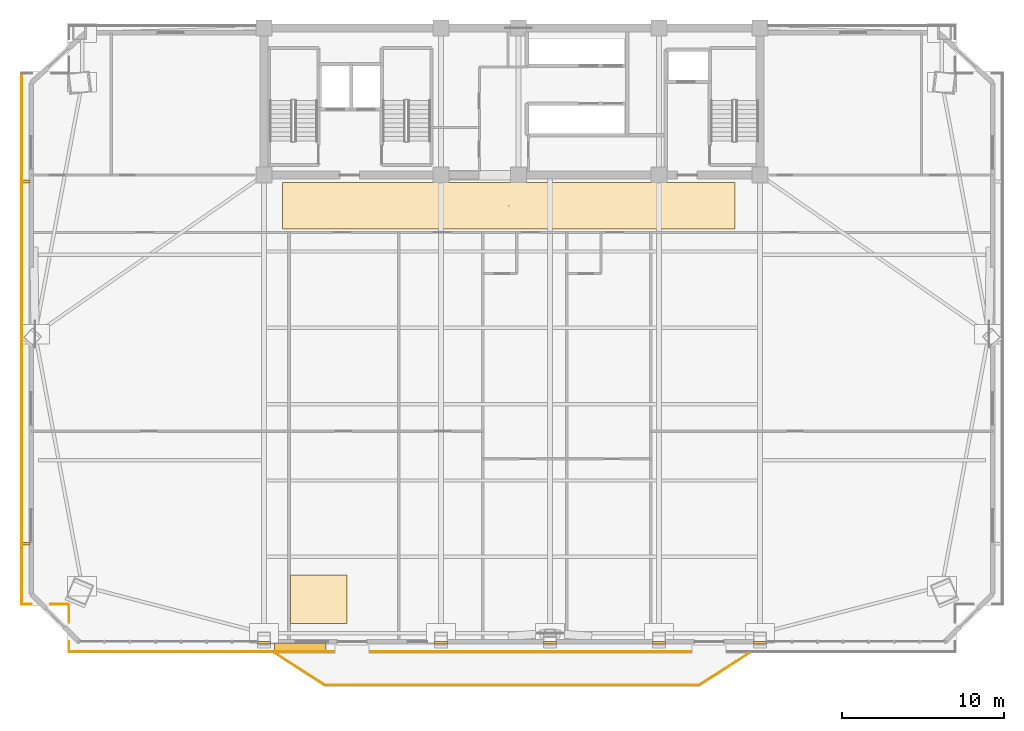
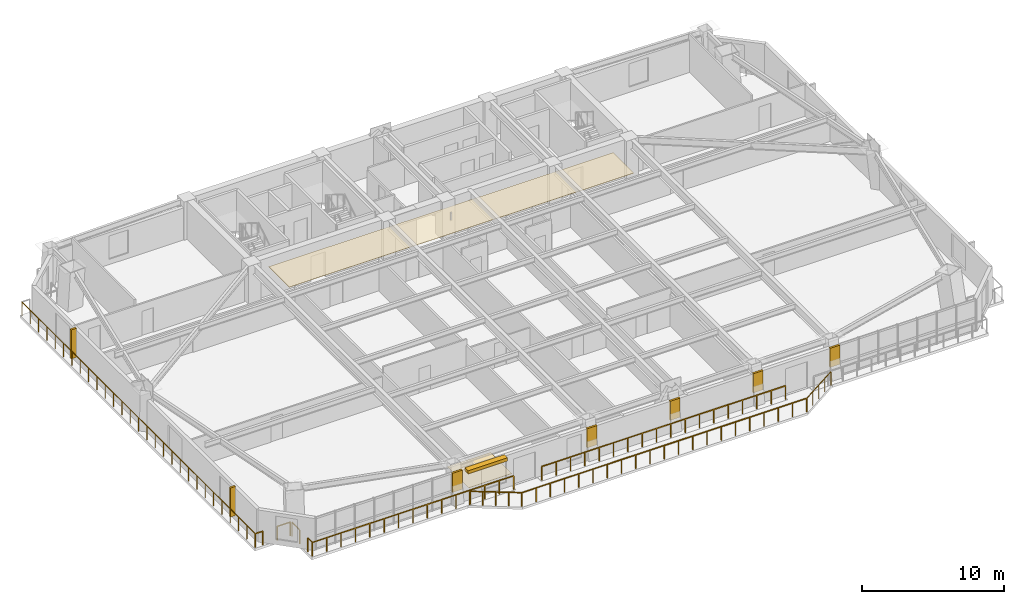
# One storey, part 12 of 15: 10 railings, 7 coverings, 3 shading devices.
"""IFC4 building model written with IfcOpenShell, lengths in metres."""

from ifc_helpers import new_model, si_unit, direction, frame, origin, origin_2d, place, context, subcontext, project, spatial, polyline, rectangle, outline, extrude, source, transform, mapped, material, layer, layer_set, type_object, element, save


model = new_model("IFC4")

# Units and contexts
model_context = context("Model", 3, precision=1e-05, world=origin(), true_north=direction((0.0, 1.0)))
body_context = subcontext(model_context, "Body", "Model", "MODEL_VIEW")
ifc_project = project(units=[si_unit("LENGTHUNIT", "METRE"), si_unit("AREAUNIT", "SQUARE_METRE"), si_unit("VOLUMEUNIT", "CUBIC_METRE"), si_unit("PLANEANGLEUNIT", "RADIAN"), si_unit("MASSUNIT", "GRAM", prefix="KILO")], contexts=[model_context])

# Site, building, storey
site_placement = place(None, origin())
site = spatial("IfcSite", under=ifc_project, at=site_placement, CompositionType="ELEMENT")
building_placement = place(site_placement, origin())
building = spatial("IfcBuilding", under=site, at=building_placement, Name="Giltprow Tower", CompositionType="ELEMENT")
storey_placement = place(building_placement, frame((0.0, 0.0, 156.199951171875)))
storey = spatial("IfcBuildingStorey", under=building, at=storey_placement, Name="L38", CompositionType="ELEMENT", Elevation=156.199951171875)

# Coverings
ifc_material_1 = material(Name="Painted gypsum board", Category="gypsum")
ifc_layer_1 = layer(ifc_material_1, 0.030029296875, Name="Painted gypsum board")
ifc_layer_set_1 = layer_set([ifc_layer_1], Name="Painted gypsum board")
covering_type_1 = type_object("IfcCoveringType", Name="COV-CLG-GYPSUM", PredefinedType="CEILING", material=ifc_layer_set_1)
covering_1_placement = place(storey_placement, frame((0.0, 0.0, 2.6201171875)))
element("IfcCovering", 1, at=covering_1_placement, inside=storey, type_object=covering_type_1, Name="L38 Hotel Corridor Gypsum Ceiling", PredefinedType="CEILING", context=body_context, shape_type="SweptSolid", body=[
    extrude(outline(polyline([(21.0, 34.10009765625), (49.0, 34.10009765625), (49.0, 37.0), (21.0, 37.0), (21.0, 34.10009765625)])), origin(), (0.0, 0.0, 1.0), 0.030029296875),
])
ifc_material_2 = material(Name="Engineered oak", Category="wood")
ifc_layer_2 = layer(ifc_material_2, 0.02490234375, Name="Engineered oak")
ifc_layer_set_2 = layer_set([ifc_layer_2], Name="Engineered oak")
covering_type_2 = type_object("IfcCoveringType", Name="COV-FLR-TIMBER", PredefinedType="FLOORING", material=ifc_layer_set_2)
covering_2_placement = place(storey_placement, origin())
element("IfcCovering", 2, at=covering_2_placement, inside=storey, type_object=covering_type_2, Name="L38 Engineered Oak Guestroom Flooring", PredefinedType="FLOORING", context=body_context, shape_type="SweptSolid", body=[
    extrude(outline(polyline([(21.5, 9.697998046875), (25.0, 9.697998046875), (25.0, 12.697998046875), (21.5, 12.697998046875), (21.5, 9.697998046875)])), origin(), (0.0, 0.0, 1.0), 0.025146484375),
])
ifc_material_3 = material(Name="Anodized bronze", Category="metal")
ifc_layer_3 = layer(ifc_material_3, 0.0400390625, Name="Anodized bronze")
ifc_layer_set_3 = layer_set([ifc_layer_3], Name="Anodized bronze")
covering_type_3 = type_object("IfcCoveringType", Name="COV-SOFFIT-BRONZE", PredefinedType="CLADDING", material=ifc_layer_set_3)
covering_3_placement = place(storey_placement, frame((0.0, 0.0, 1.10009765625)))
element("IfcCovering", 3, at=covering_3_placement, inside=storey, type_object=covering_type_3, Name="L38 Setback Pier Closure Cladding S-1", PredefinedType="CLADDING", context=body_context, shape_type="SweptSolid", body=[
    extrude(outline(polyline([(19.449951171875, 8.431884765625), (20.25, 8.431884765625), (20.25, 8.592041015625), (19.449951171875, 8.592041015625), (19.449951171875, 8.431884765625)])), origin(), (0.0, 0.0, 1.0), 1.64990234375),
])
covering_4_placement = place(storey_placement, frame((0.0, 0.0, 1.10009765625)))
element("IfcCovering", 4, at=covering_4_placement, inside=storey, type_object=covering_type_3, Name="L38 Setback Pier Closure Cladding S-2", PredefinedType="CLADDING", context=body_context, shape_type="SweptSolid", body=[
    extrude(outline(polyline([(30.39990234375, 8.431884765625), (31.199951171875, 8.431884765625), (31.199951171875, 8.592041015625), (30.39990234375, 8.592041015625), (30.39990234375, 8.431884765625)])), origin(), (0.0, 0.0, 1.0), 1.64990234375),
])
covering_5_placement = place(storey_placement, frame((0.0, 0.0, 1.10009765625)))
element("IfcCovering", 5, at=covering_5_placement, inside=storey, type_object=covering_type_3, Name="L38 Setback Pier Closure Cladding S-3", PredefinedType="CLADDING", context=body_context, shape_type="SweptSolid", body=[
    extrude(outline(polyline([(37.14990234375, 8.431884765625), (37.949951171875, 8.431884765625), (37.949951171875, 8.592041015625), (37.14990234375, 8.592041015625), (37.14990234375, 8.431884765625)])), origin(), (0.0, 0.0, 1.0), 1.64990234375),
])
covering_6_placement = place(storey_placement, frame((0.0, 0.0, 1.10009765625)))
element("IfcCovering", 6, at=covering_6_placement, inside=storey, type_object=covering_type_3, Name="L38 Setback Pier Closure Cladding S-4", PredefinedType="CLADDING", context=body_context, shape_type="SweptSolid", body=[
    extrude(outline(polyline([(43.89990234375, 8.431884765625), (44.699951171875, 8.431884765625), (44.699951171875, 8.592041015625), (43.89990234375, 8.592041015625), (43.89990234375, 8.431884765625)])), origin(), (0.0, 0.0, 1.0), 1.64990234375),
])
covering_7_placement = place(storey_placement, frame((0.0, 0.0, 1.10009765625)))
element("IfcCovering", 7, at=covering_7_placement, inside=storey, type_object=covering_type_3, Name="L38 Setback Pier Closure Cladding S-5", PredefinedType="CLADDING", context=body_context, shape_type="SweptSolid", body=[
    extrude(outline(polyline([(50.14990234375, 8.431884765625), (50.949951171875, 8.431884765625), (50.949951171875, 8.592041015625), (50.14990234375, 8.592041015625), (50.14990234375, 8.431884765625)])), origin(), (0.0, 0.0, 1.0), 1.64990234375),
])

# Railings
railing_type = type_object("IfcRailingType", Name="RAIL-BALC-GUARD-1200", PredefinedType="BALUSTRADE", material=ifc_material_3)
railing_1_placement = place(storey_placement, frame((20.52001953125, 7.8720703125, 0.0)))
element("IfcRailing", 8, at=railing_1_placement, inside=storey, type_object=railing_type, Name="L38 Waterfront Balcony Balustrade Seg 1", PredefinedType="BALUSTRADE", context=body_context, shape_type="SweptSolid", body=[
    extrude(rectangle(XDim=0.048095703125, YDim=0.048095703125, at=origin_2d()), frame((0.0, 0.0, 1.17578125), z_axis=(0.84277487735, -0.538266203757, 0.0), x_axis=(0.538266203757, 0.84277487735, 0.0)), (0.0, 0.0, 1.0), 3.678466796875),
    extrude(rectangle(XDim=0.0419921875, YDim=0.0419921875, at=origin_2d()), origin(), (0.0, 0.0, 1.0), 1.15185546875),
    extrude(rectangle(XDim=0.0419921875, YDim=0.0419921875, at=origin_2d()), frame((0.77490234375, -0.4951171875, 0.0)), (0.0, 0.0, 1.0), 1.15185546875),
    extrude(rectangle(XDim=0.0419921875, YDim=0.0419921875, at=origin_2d()), frame((1.550048828125, -0.989990234375, 0.0)), (0.0, 0.0, 1.0), 1.15185546875),
    extrude(rectangle(XDim=0.0419921875, YDim=0.0419921875, at=origin_2d()), frame((2.3251953125, -1.48486328125, 0.0)), (0.0, 0.0, 1.0), 1.15185546875),
    extrude(rectangle(XDim=0.0419921875, YDim=0.0419921875, at=origin_2d()), frame((3.10009765625, -1.97998046875, 0.0)), (0.0, 0.0, 1.0), 1.15185546875),
])
railing_2_placement = place(storey_placement, frame((23.6201171875, 5.89208984375, 0.0)))
element("IfcRailing", 9, at=railing_2_placement, inside=storey, type_object=railing_type, Name="L38 Waterfront Balcony Balustrade Seg 2", PredefinedType="BALUSTRADE", context=body_context, shape_type="SweptSolid", body=[
    extrude(rectangle(XDim=0.048095703125, YDim=0.048095703125, at=origin_2d()), frame((0.0, 0.0, 1.17578125), z_axis=(1.0, 0.0, 0.0), x_axis=(0.0, 1.0, 0.0)), (0.0, 0.0, 1.0), 23.159912109375),
    extrude(rectangle(XDim=0.0419921875, YDim=0.0419921875, at=origin_2d()), origin(), (0.0, 0.0, 1.0), 1.15185546875),
    extrude(rectangle(XDim=0.0419921875, YDim=0.0419921875, at=origin_2d()), frame((1.157958984375, 0.0, 0.0)), (0.0, 0.0, 1.0), 1.15185546875),
    extrude(rectangle(XDim=0.0419921875, YDim=0.0419921875, at=origin_2d()), frame((2.31591796875, 0.0, 0.0)), (0.0, 0.0, 1.0), 1.15185546875),
    extrude(rectangle(XDim=0.0419921875, YDim=0.0419921875, at=origin_2d()), frame((3.473876953125, 0.0, 0.0)), (0.0, 0.0, 1.0), 1.15185546875),
    extrude(rectangle(XDim=0.0419921875, YDim=0.0419921875, at=origin_2d()), frame((4.632080078125, 0.0, 0.0)), (0.0, 0.0, 1.0), 1.15185546875),
    extrude(rectangle(XDim=0.0419921875, YDim=0.0419921875, at=origin_2d()), frame((5.7900390625, 0.0, 0.0)), (0.0, 0.0, 1.0), 1.15185546875),
    extrude(rectangle(XDim=0.0419921875, YDim=0.0419921875, at=origin_2d()), frame((6.947998046875, 0.0, 0.0)), (0.0, 0.0, 1.0), 1.15185546875),
    extrude(rectangle(XDim=0.0419921875, YDim=0.0419921875, at=origin_2d()), frame((8.10595703125, 0.0, 0.0)), (0.0, 0.0, 1.0), 1.15185546875),
    extrude(rectangle(XDim=0.0419921875, YDim=0.0419921875, at=origin_2d()), frame((9.263916015625, 0.0, 0.0)), (0.0, 0.0, 1.0), 1.15185546875),
    extrude(rectangle(XDim=0.0419921875, YDim=0.0419921875, at=origin_2d()), frame((10.421875, 0.0, 0.0)), (0.0, 0.0, 1.0), 1.15185546875),
    extrude(rectangle(XDim=0.0419921875, YDim=0.0419921875, at=origin_2d()), frame((11.580078125, 0.0, 0.0)), (0.0, 0.0, 1.0), 1.15185546875),
    extrude(rectangle(XDim=0.0419921875, YDim=0.0419921875, at=origin_2d()), frame((12.738037109375, 0.0, 0.0)), (0.0, 0.0, 1.0), 1.15185546875),
    extrude(rectangle(XDim=0.0419921875, YDim=0.0419921875, at=origin_2d()), frame((13.89599609375, 0.0, 0.0)), (0.0, 0.0, 1.0), 1.15185546875),
    extrude(rectangle(XDim=0.0419921875, YDim=0.0419921875, at=origin_2d()), frame((15.053955078125, 0.0, 0.0)), (0.0, 0.0, 1.0), 1.15185546875),
    extrude(rectangle(XDim=0.0419921875, YDim=0.0419921875, at=origin_2d()), frame((16.2119140625, 0.0, 0.0)), (0.0, 0.0, 1.0), 1.15185546875),
    extrude(rectangle(XDim=0.0419921875, YDim=0.0419921875, at=origin_2d()), frame((17.369873046875, 0.0, 0.0)), (0.0, 0.0, 1.0), 1.15185546875),
    extrude(rectangle(XDim=0.0419921875, YDim=0.0419921875, at=origin_2d()), frame((18.52783203125, 0.0, 0.0)), (0.0, 0.0, 1.0), 1.15185546875),
    extrude(rectangle(XDim=0.0419921875, YDim=0.0419921875, at=origin_2d()), frame((19.68603515625, 0.0, 0.0)), (0.0, 0.0, 1.0), 1.15185546875),
    extrude(rectangle(XDim=0.0419921875, YDim=0.0419921875, at=origin_2d()), frame((20.843994140625, 0.0, 0.0)), (0.0, 0.0, 1.0), 1.15185546875),
    extrude(rectangle(XDim=0.0419921875, YDim=0.0419921875, at=origin_2d()), frame((22.001953125, 0.0, 0.0)), (0.0, 0.0, 1.0), 1.15185546875),
    extrude(rectangle(XDim=0.0419921875, YDim=0.0419921875, at=origin_2d()), frame((23.159912109375, 0.0, 0.0)), (0.0, 0.0, 1.0), 1.15185546875),
])
railing_3_placement = place(storey_placement, frame((46.780029296875, 5.89208984375, 0.0)))
element("IfcRailing", 10, at=railing_3_placement, inside=storey, type_object=railing_type, Name="L38 Waterfront Balcony Balustrade Seg 3", PredefinedType="BALUSTRADE", context=body_context, shape_type="SweptSolid", body=[
    extrude(rectangle(XDim=0.048095703125, YDim=0.048095703125, at=origin_2d()), frame((0.0, 0.0, 1.17578125), z_axis=(0.842755646126, 0.538296313309, 0.0), x_axis=(-0.538296313309, 0.842755646126, 0.0)), (0.0, 0.0, 1.0), 3.67822265625),
    extrude(rectangle(XDim=0.0419921875, YDim=0.0419921875, at=origin_2d()), origin(), (0.0, 0.0, 1.0), 1.15185546875),
    extrude(rectangle(XDim=0.0419921875, YDim=0.0419921875, at=origin_2d()), frame((0.77490234375, 0.4951171875, 0.0)), (0.0, 0.0, 1.0), 1.15185546875),
    extrude(rectangle(XDim=0.0419921875, YDim=0.0419921875, at=origin_2d()), frame((1.5498046875, 0.989990234375, 0.0)), (0.0, 0.0, 1.0), 1.15185546875),
    extrude(rectangle(XDim=0.0419921875, YDim=0.0419921875, at=origin_2d()), frame((2.324951171875, 1.48486328125, 0.0)), (0.0, 0.0, 1.0), 1.15185546875),
    extrude(rectangle(XDim=0.0419921875, YDim=0.0419921875, at=origin_2d()), frame((3.099853515625, 1.97998046875, 0.0)), (0.0, 0.0, 1.0), 1.15185546875),
])
railing_4_placement = place(storey_placement, frame((7.7880859375, 7.971923828125, 0.0)))
element("IfcRailing", 11, at=railing_4_placement, inside=storey, type_object=railing_type, Name="L38 Corner Apron Edge Balustrade 1", PredefinedType="BALUSTRADE", context=body_context, shape_type="SweptSolid", body=[
    extrude(rectangle(XDim=0.048095703125, YDim=0.048095703125, at=origin_2d()), frame((0.0, 0.0, 1.17578125), z_axis=(0.0, 1.0, 0.0), x_axis=(-1.0, 0.0, 0.0)), (0.0, 0.0, 1.0), 0.6201171875),
    extrude(rectangle(XDim=0.0419921875, YDim=0.0419921875, at=origin_2d()), origin(), (0.0, 0.0, 1.0), 1.15185546875),
    extrude(rectangle(XDim=0.0419921875, YDim=0.0419921875, at=origin_2d()), frame((0.0, 0.6201171875, 0.0)), (0.0, 0.0, 1.0), 1.15185546875),
])
railing_5_placement = place(storey_placement, frame((7.7880859375, 9.751953125, 0.0)))
element("IfcRailing", 12, at=railing_5_placement, inside=storey, type_object=railing_type, Name="L38 Corner Apron Edge Balustrade 2", PredefinedType="BALUSTRADE", context=body_context, shape_type="SweptSolid", body=[
    extrude(rectangle(XDim=0.048095703125, YDim=0.048095703125, at=origin_2d()), frame((0.0, 0.0, 1.17578125), z_axis=(0.0, 1.0, 0.0), x_axis=(-1.0, 0.0, 0.0)), (0.0, 0.0, 1.0), 1.073974609375),
    extrude(rectangle(XDim=0.0419921875, YDim=0.0419921875, at=origin_2d()), origin(), (0.0, 0.0, 1.0), 1.15185546875),
    extrude(rectangle(XDim=0.0419921875, YDim=0.0419921875, at=origin_2d()), frame((0.0, 1.073974609375, 0.0)), (0.0, 0.0, 1.0), 1.15185546875),
])
railing_6_placement = place(storey_placement, frame((7.702880859375, 10.910888671875, 0.0)))
element("IfcRailing", 13, at=railing_6_placement, inside=storey, type_object=railing_type, Name="L38 Corner Apron Edge Balustrade 3", PredefinedType="BALUSTRADE", context=body_context, shape_type="SweptSolid", body=[
    extrude(rectangle(XDim=0.048095703125, YDim=0.048095703125, at=origin_2d()), frame((0.0, 0.0, 1.17578125), z_axis=(-1.0, 0.0, 0.0), x_axis=(0.0, -1.0, 0.0)), (0.0, 0.0, 1.0), 1.073974609375),
    extrude(rectangle(XDim=0.0419921875, YDim=0.0419921875, at=origin_2d()), origin(), (0.0, 0.0, 1.0), 1.15185546875),
    extrude(rectangle(XDim=0.0419921875, YDim=0.0419921875, at=origin_2d()), frame((-1.073974609375, 0.0, 0.0)), (0.0, 0.0, 1.0), 1.15185546875),
])
railing_7_placement = place(storey_placement, frame((5.468994140625, 10.910888671875, 0.0)))
element("IfcRailing", 14, at=railing_7_placement, inside=storey, type_object=railing_type, Name="L38 Corner Apron Edge Balustrade 4", PredefinedType="BALUSTRADE", context=body_context, shape_type="SweptSolid", body=[
    extrude(rectangle(XDim=0.048095703125, YDim=0.048095703125, at=origin_2d()), frame((0.0, 0.0, 1.17578125), z_axis=(-1.0, 0.0, 0.0), x_axis=(0.0, -1.0, 0.0)), (0.0, 0.0, 1.0), 0.619873046875),
    extrude(rectangle(XDim=0.0419921875, YDim=0.0419921875, at=origin_2d()), origin(), (0.0, 0.0, 1.0), 1.15185546875),
    extrude(rectangle(XDim=0.0419921875, YDim=0.0419921875, at=origin_2d()), frame((-0.619873046875, 0.0, 0.0)), (0.0, 0.0, 1.0), 1.15185546875),
])
railing_8_placement = place(storey_placement, frame((4.84912109375, 10.910888671875, 0.0)))
element("IfcRailing", 15, at=railing_8_placement, inside=storey, type_object=railing_type, Name="L38 Corner Apron Edge Balustrade 5", PredefinedType="BALUSTRADE", context=body_context, shape_type="SweptSolid", body=[
    extrude(rectangle(XDim=0.048095703125, YDim=0.048095703125, at=origin_2d()), frame((0.0, 0.0, 1.17578125), z_axis=(0.0, 1.0, 0.0), x_axis=(-1.0, 0.0, 0.0)), (0.0, 0.0, 1.0), 32.85009765625),
    extrude(rectangle(XDim=0.0419921875, YDim=0.0419921875, at=origin_2d()), origin(), (0.0, 0.0, 1.0), 1.15185546875),
    extrude(rectangle(XDim=0.0419921875, YDim=0.0419921875, at=origin_2d()), frame((0.0, 1.17333984375, 0.0)), (0.0, 0.0, 1.0), 1.15185546875),
    extrude(rectangle(XDim=0.0419921875, YDim=0.0419921875, at=origin_2d()), frame((0.0, 2.346435546875, 0.0)), (0.0, 0.0, 1.0), 1.15185546875),
    extrude(rectangle(XDim=0.0419921875, YDim=0.0419921875, at=origin_2d()), frame((0.0, 3.51953125, 0.0)), (0.0, 0.0, 1.0), 1.15185546875),
    extrude(rectangle(XDim=0.0419921875, YDim=0.0419921875, at=origin_2d()), frame((0.0, 4.69287109375, 0.0)), (0.0, 0.0, 1.0), 1.15185546875),
    extrude(rectangle(XDim=0.0419921875, YDim=0.0419921875, at=origin_2d()), frame((0.0, 5.8662109375, 0.0)), (0.0, 0.0, 1.0), 1.15185546875),
    extrude(rectangle(XDim=0.0419921875, YDim=0.0419921875, at=origin_2d()), frame((0.0, 7.039306640625, 0.0)), (0.0, 0.0, 1.0), 1.15185546875),
    extrude(rectangle(XDim=0.0419921875, YDim=0.0419921875, at=origin_2d()), frame((0.0, 8.21240234375, 0.0)), (0.0, 0.0, 1.0), 1.15185546875),
    extrude(rectangle(XDim=0.0419921875, YDim=0.0419921875, at=origin_2d()), frame((0.0, 9.3857421875, 0.0)), (0.0, 0.0, 1.0), 1.15185546875),
    extrude(rectangle(XDim=0.0419921875, YDim=0.0419921875, at=origin_2d()), frame((0.0, 10.55908203125, 0.0)), (0.0, 0.0, 1.0), 1.15185546875),
    extrude(rectangle(XDim=0.0419921875, YDim=0.0419921875, at=origin_2d()), frame((0.0, 11.732177734375, 0.0)), (0.0, 0.0, 1.0), 1.15185546875),
    extrude(rectangle(XDim=0.0419921875, YDim=0.0419921875, at=origin_2d()), frame((0.0, 12.9052734375, 0.0)), (0.0, 0.0, 1.0), 1.15185546875),
    extrude(rectangle(XDim=0.0419921875, YDim=0.0419921875, at=origin_2d()), frame((0.0, 14.07861328125, 0.0)), (0.0, 0.0, 1.0), 1.15185546875),
    extrude(rectangle(XDim=0.0419921875, YDim=0.0419921875, at=origin_2d()), frame((0.0, 15.251953125, 0.0)), (0.0, 0.0, 1.0), 1.15185546875),
    extrude(rectangle(XDim=0.0419921875, YDim=0.0419921875, at=origin_2d()), frame((0.0, 16.425048828125, 0.0)), (0.0, 0.0, 1.0), 1.15185546875),
    extrude(rectangle(XDim=0.0419921875, YDim=0.0419921875, at=origin_2d()), frame((0.0, 17.59814453125, 0.0)), (0.0, 0.0, 1.0), 1.15185546875),
    extrude(rectangle(XDim=0.0419921875, YDim=0.0419921875, at=origin_2d()), frame((0.0, 18.771484375, 0.0)), (0.0, 0.0, 1.0), 1.15185546875),
    extrude(rectangle(XDim=0.0419921875, YDim=0.0419921875, at=origin_2d()), frame((0.0, 19.94482421875, 0.0)), (0.0, 0.0, 1.0), 1.15185546875),
    extrude(rectangle(XDim=0.0419921875, YDim=0.0419921875, at=origin_2d()), frame((0.0, 21.117919921875, 0.0)), (0.0, 0.0, 1.0), 1.15185546875),
    extrude(rectangle(XDim=0.0419921875, YDim=0.0419921875, at=origin_2d()), frame((0.0, 22.291015625, 0.0)), (0.0, 0.0, 1.0), 1.15185546875),
    extrude(rectangle(XDim=0.0419921875, YDim=0.0419921875, at=origin_2d()), frame((0.0, 23.46435546875, 0.0)), (0.0, 0.0, 1.0), 1.15185546875),
    extrude(rectangle(XDim=0.0419921875, YDim=0.0419921875, at=origin_2d()), frame((0.0, 24.6376953125, 0.0)), (0.0, 0.0, 1.0), 1.15185546875),
    extrude(rectangle(XDim=0.0419921875, YDim=0.0419921875, at=origin_2d()), frame((0.0, 25.810791015625, 0.0)), (0.0, 0.0, 1.0), 1.15185546875),
    extrude(rectangle(XDim=0.0419921875, YDim=0.0419921875, at=origin_2d()), frame((0.0, 26.98388671875, 0.0)), (0.0, 0.0, 1.0), 1.15185546875),
    extrude(rectangle(XDim=0.0419921875, YDim=0.0419921875, at=origin_2d()), frame((0.0, 28.1572265625, 0.0)), (0.0, 0.0, 1.0), 1.15185546875),
    extrude(rectangle(XDim=0.0419921875, YDim=0.0419921875, at=origin_2d()), frame((0.0, 29.33056640625, 0.0)), (0.0, 0.0, 1.0), 1.15185546875),
    extrude(rectangle(XDim=0.0419921875, YDim=0.0419921875, at=origin_2d()), frame((0.0, 30.503662109375, 0.0)), (0.0, 0.0, 1.0), 1.15185546875),
    extrude(rectangle(XDim=0.0419921875, YDim=0.0419921875, at=origin_2d()), frame((0.0, 31.6767578125, 0.0)), (0.0, 0.0, 1.0), 1.15185546875),
    extrude(rectangle(XDim=0.0419921875, YDim=0.0419921875, at=origin_2d()), frame((0.0, 32.85009765625, 0.0)), (0.0, 0.0, 1.0), 1.15185546875),
])
railing_9_placement = place(storey_placement, frame((46.25, 7.971923828125, 0.0)))
element("IfcRailing", 16, at=railing_9_placement, inside=storey, type_object=railing_type, Name="L38 Corner Apron Edge Balustrade 24", PredefinedType="BALUSTRADE", context=body_context, shape_type="SweptSolid", body=[
    extrude(rectangle(XDim=0.048095703125, YDim=0.048095703125, at=origin_2d()), frame((0.0, 0.0, 1.17578125), z_axis=(-1.0, 0.0, 0.0), x_axis=(0.0, -1.0, 0.0)), (0.0, 0.0, 1.0), 19.800048828125),
    extrude(rectangle(XDim=0.0419921875, YDim=0.0419921875, at=origin_2d()), origin(), (0.0, 0.0, 1.0), 1.15185546875),
    extrude(rectangle(XDim=0.0419921875, YDim=0.0419921875, at=origin_2d()), frame((-1.164794921875, 0.0, 0.0)), (0.0, 0.0, 1.0), 1.15185546875),
    extrude(rectangle(XDim=0.0419921875, YDim=0.0419921875, at=origin_2d()), frame((-2.329345703125, 0.0, 0.0)), (0.0, 0.0, 1.0), 1.15185546875),
    extrude(rectangle(XDim=0.0419921875, YDim=0.0419921875, at=origin_2d()), frame((-3.494140625, 0.0, 0.0)), (0.0, 0.0, 1.0), 1.15185546875),
    extrude(rectangle(XDim=0.0419921875, YDim=0.0419921875, at=origin_2d()), frame((-4.658935546875, 0.0, 0.0)), (0.0, 0.0, 1.0), 1.15185546875),
    extrude(rectangle(XDim=0.0419921875, YDim=0.0419921875, at=origin_2d()), frame((-5.823486328125, 0.0, 0.0)), (0.0, 0.0, 1.0), 1.15185546875),
    extrude(rectangle(XDim=0.0419921875, YDim=0.0419921875, at=origin_2d()), frame((-6.98828125, 0.0, 0.0)), (0.0, 0.0, 1.0), 1.15185546875),
    extrude(rectangle(XDim=0.0419921875, YDim=0.0419921875, at=origin_2d()), frame((-8.153076171875, 0.0, 0.0)), (0.0, 0.0, 1.0), 1.15185546875),
    extrude(rectangle(XDim=0.0419921875, YDim=0.0419921875, at=origin_2d()), frame((-9.317626953125, 0.0, 0.0)), (0.0, 0.0, 1.0), 1.15185546875),
    extrude(rectangle(XDim=0.0419921875, YDim=0.0419921875, at=origin_2d()), frame((-10.482421875, 0.0, 0.0)), (0.0, 0.0, 1.0), 1.15185546875),
    extrude(rectangle(XDim=0.0419921875, YDim=0.0419921875, at=origin_2d()), frame((-11.64697265625, 0.0, 0.0)), (0.0, 0.0, 1.0), 1.15185546875),
    extrude(rectangle(XDim=0.0419921875, YDim=0.0419921875, at=origin_2d()), frame((-12.811767578125, 0.0, 0.0)), (0.0, 0.0, 1.0), 1.15185546875),
    extrude(rectangle(XDim=0.0419921875, YDim=0.0419921875, at=origin_2d()), frame((-13.9765625, 0.0, 0.0)), (0.0, 0.0, 1.0), 1.15185546875),
    extrude(rectangle(XDim=0.0419921875, YDim=0.0419921875, at=origin_2d()), frame((-15.14111328125, 0.0, 0.0)), (0.0, 0.0, 1.0), 1.15185546875),
    extrude(rectangle(XDim=0.0419921875, YDim=0.0419921875, at=origin_2d()), frame((-16.305908203125, 0.0, 0.0)), (0.0, 0.0, 1.0), 1.15185546875),
    extrude(rectangle(XDim=0.0419921875, YDim=0.0419921875, at=origin_2d()), frame((-17.470703125, 0.0, 0.0)), (0.0, 0.0, 1.0), 1.15185546875),
    extrude(rectangle(XDim=0.0419921875, YDim=0.0419921875, at=origin_2d()), frame((-18.63525390625, 0.0, 0.0)), (0.0, 0.0, 1.0), 1.15185546875),
    extrude(rectangle(XDim=0.0419921875, YDim=0.0419921875, at=origin_2d()), frame((-19.800048828125, 0.0, 0.0)), (0.0, 0.0, 1.0), 1.15185546875),
])
railing_10_placement = place(storey_placement, frame((24.14990234375, 7.971923828125, 0.0)))
element("IfcRailing", 17, at=railing_10_placement, inside=storey, type_object=railing_type, Name="L38 Corner Apron Edge Balustrade 25", PredefinedType="BALUSTRADE", context=body_context, shape_type="SweptSolid", body=[
    extrude(rectangle(XDim=0.048095703125, YDim=0.048095703125, at=origin_2d()), frame((0.0, 0.0, 1.17578125), z_axis=(-1.0, 0.0, 0.0), x_axis=(0.0, -1.0, 0.0)), (0.0, 0.0, 1.0), 16.36181640625),
    extrude(rectangle(XDim=0.0419921875, YDim=0.0419921875, at=origin_2d()), origin(), (0.0, 0.0, 1.0), 1.15185546875),
    extrude(rectangle(XDim=0.0419921875, YDim=0.0419921875, at=origin_2d()), frame((-1.168701171875, 0.0, 0.0)), (0.0, 0.0, 1.0), 1.15185546875),
    extrude(rectangle(XDim=0.0419921875, YDim=0.0419921875, at=origin_2d()), frame((-2.33740234375, 0.0, 0.0)), (0.0, 0.0, 1.0), 1.15185546875),
    extrude(rectangle(XDim=0.0419921875, YDim=0.0419921875, at=origin_2d()), frame((-3.506103515625, 0.0, 0.0)), (0.0, 0.0, 1.0), 1.15185546875),
    extrude(rectangle(XDim=0.0419921875, YDim=0.0419921875, at=origin_2d()), frame((-4.6748046875, 0.0, 0.0)), (0.0, 0.0, 1.0), 1.15185546875),
    extrude(rectangle(XDim=0.0419921875, YDim=0.0419921875, at=origin_2d()), frame((-5.843505859375, 0.0, 0.0)), (0.0, 0.0, 1.0), 1.15185546875),
    extrude(rectangle(XDim=0.0419921875, YDim=0.0419921875, at=origin_2d()), frame((-7.01220703125, 0.0, 0.0)), (0.0, 0.0, 1.0), 1.15185546875),
    extrude(rectangle(XDim=0.0419921875, YDim=0.0419921875, at=origin_2d()), frame((-8.180908203125, 0.0, 0.0)), (0.0, 0.0, 1.0), 1.15185546875),
    extrude(rectangle(XDim=0.0419921875, YDim=0.0419921875, at=origin_2d()), frame((-9.349609375, 0.0, 0.0)), (0.0, 0.0, 1.0), 1.15185546875),
    extrude(rectangle(XDim=0.0419921875, YDim=0.0419921875, at=origin_2d()), frame((-10.518310546875, 0.0, 0.0)), (0.0, 0.0, 1.0), 1.15185546875),
    extrude(rectangle(XDim=0.0419921875, YDim=0.0419921875, at=origin_2d()), frame((-11.68701171875, 0.0, 0.0)), (0.0, 0.0, 1.0), 1.15185546875),
    extrude(rectangle(XDim=0.0419921875, YDim=0.0419921875, at=origin_2d()), frame((-12.855712890625, 0.0, 0.0)), (0.0, 0.0, 1.0), 1.15185546875),
    extrude(rectangle(XDim=0.0419921875, YDim=0.0419921875, at=origin_2d()), frame((-14.0244140625, 0.0, 0.0)), (0.0, 0.0, 1.0), 1.15185546875),
    extrude(rectangle(XDim=0.0419921875, YDim=0.0419921875, at=origin_2d()), frame((-15.193115234375, 0.0, 0.0)), (0.0, 0.0, 1.0), 1.15185546875),
    extrude(rectangle(XDim=0.0419921875, YDim=0.0419921875, at=origin_2d()), frame((-16.36181640625, 0.0, 0.0)), (0.0, 0.0, 1.0), 1.15185546875),
])

# Shading devices
shading_device_type_1 = type_object("IfcShadingDeviceType", Name="SHD-FIN-420", PredefinedType="USERDEFINED", material=ifc_material_3)
shared_shape_1 = source(origin(), body_context, "Body", "SweptSolid", [
    extrude(rectangle(XDim=0.419921875, YDim=0.159912109375, at=origin_2d()), origin(), (0.0, 0.0, 1.0), 2.5),
])
for number, where, z_axis, x_axis, name in (
    (18, (5.14892578125, 14.64208984375, 0.35009765625), (0.0, 0.0, 1.0), (1.0, 0.0, 0.0), "L38 W Bronze Vertical Fin 1-1"),
    (19, (5.14892578125, 37.053955078125, 0.35009765625), (0.0, 0.0, 1.0), (1.0, 0.0, 0.0), "L38 W Bronze Vertical Fin 2-1"),
):
    element("IfcShadingDevice", number, at=place(storey_placement, frame(where, z_axis=z_axis, x_axis=x_axis)), inside=storey, type_object=shading_device_type_1, Name=name, ObjectType="FIN", PredefinedType="USERDEFINED", context=body_context, shape_type="MappedRepresentation", body=[
        mapped(shared_shape_1, transform((0.0, 0.0, 0.0), x_axis=(1.0, 0.0, 0.0), y_axis=(0.0, 1.0, 0.0), z_axis=(0.0, 0.0, 1.0), scale=1.0)),
    ])
shading_device_type_2 = type_object("IfcShadingDeviceType", Name="SHD-LOUVRE-320", PredefinedType="JALOUSIE", material=ifc_material_3)
shared_shape_2 = source(origin(), body_context, "Body", "SweptSolid", [
    extrude(rectangle(XDim=3.199951171875, YDim=0.449951171875, at=origin_2d()), origin(), (0.0, 0.0, 1.0), 0.280029296875),
])
shading_device_placement = place(storey_placement, frame((22.10009765625, 8.27197265625, 2.56005859375), z_axis=(0.0, 0.0, 1.0), x_axis=(1.0, 0.0, 0.0)))
element("IfcShadingDevice", 20, at=shading_device_placement, inside=storey, type_object=shading_device_type_2, Name="L38 Bronze Sunshade Louvre S-2", PredefinedType="JALOUSIE", context=body_context, shape_type="MappedRepresentation", body=[
    mapped(shared_shape_2, transform((0.0, 0.0, 0.0), x_axis=(1.0, 0.0, 0.0), y_axis=(0.0, 1.0, 0.0), z_axis=(0.0, 0.0, 1.0), scale=1.0)),
])

save(model, "model.ifc")
